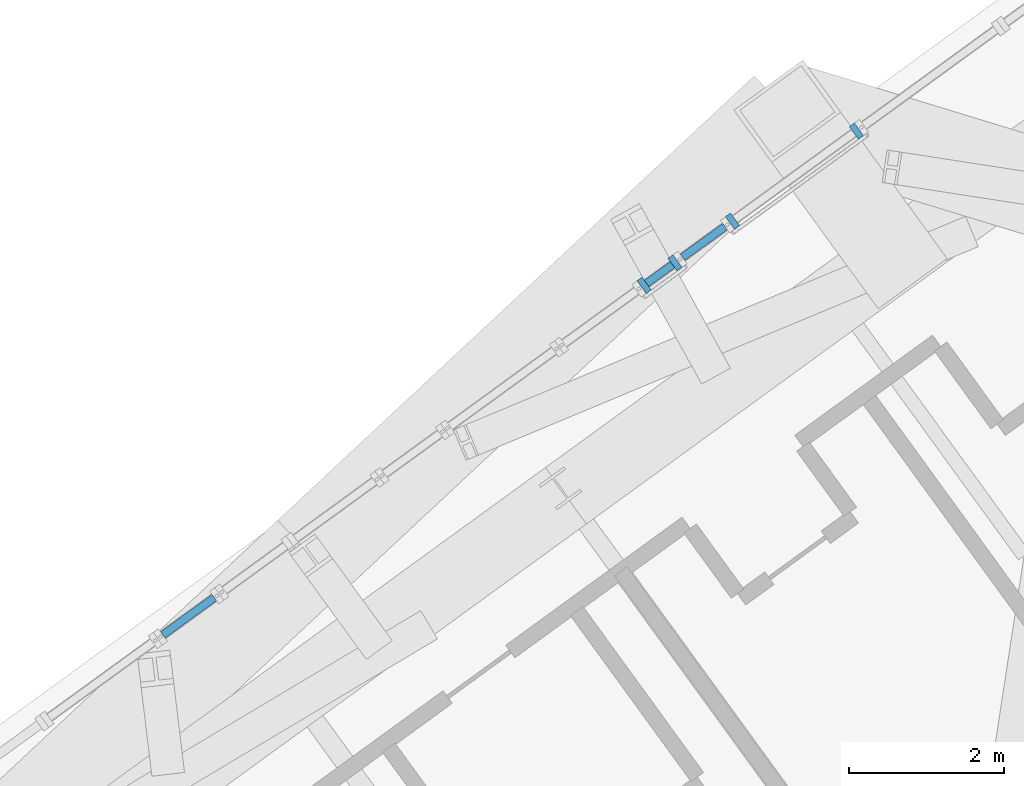
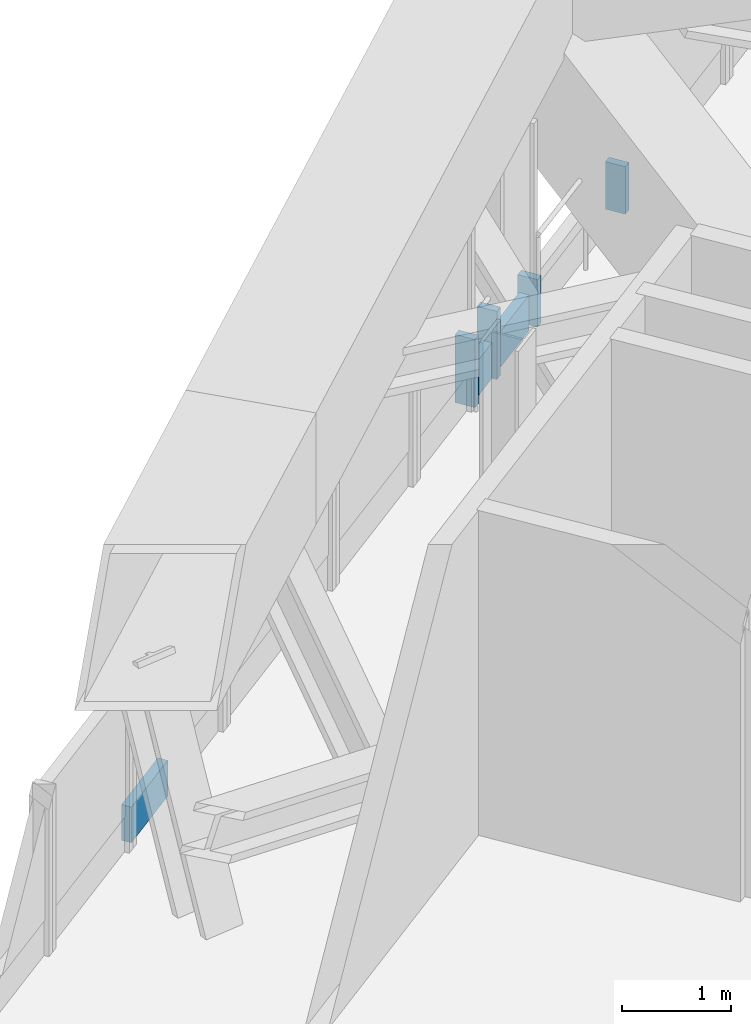
# One storey, part 12 of 30: 7 members, 4 elements without a shape of their own.
"""IFC4 building model written with IfcOpenShell, lengths in metres."""

from ifc_helpers import new_model, si_unit, direction, frame, origin, origin_2d, place, context, subcontext, project, spatial, rectangle, extrude, source, transform, mapped, material, material_profile, profile_set, type_object, element, aggregate, save


model = new_model("IFC4")

# Units and contexts
model_context = context("Model", 3, precision=1e-05, world=origin(), true_north=direction((0.0, 1.0)))
body_context = subcontext(model_context, "Body", "Model", "MODEL_VIEW")
ifc_project = project(units=[si_unit("LENGTHUNIT", "METRE"), si_unit("AREAUNIT", "SQUARE_METRE"), si_unit("VOLUMEUNIT", "CUBIC_METRE"), si_unit("PLANEANGLEUNIT", "RADIAN"), si_unit("MASSUNIT", "GRAM", prefix="KILO")], contexts=[model_context])

# Site, building, storey
site_placement = place(None, origin())
site = spatial("IfcSite", under=ifc_project, at=site_placement, CompositionType="ELEMENT")
building_placement = place(site_placement, origin())
building = spatial("IfcBuilding", under=site, at=building_placement, Name="Triune Harvest Tower", CompositionType="ELEMENT")
storey_placement = place(building_placement, frame((0.0, 0.0, 94.5)))
storey = spatial("IfcBuildingStorey", under=building, at=storey_placement, Name="L23", CompositionType="ELEMENT", Elevation=94.5)

# Curtain wall, member
ifc_material_1 = material(Name="Aluminium bronze anodised", Category="aluminium")
curtain_wall_type = type_object("IfcCurtainWallType", Name="CW-5 Plant louvre wall", PredefinedType="NOTDEFINED", material=ifc_material_1)
curtain_wall_1_placement = place(storey_placement, origin())
curtain_wall_1 = element("IfcCurtainWall", 1, at=curtain_wall_1_placement, inside=storey, type_object=curtain_wall_type, Name="CW-5 B2-F3 L23 run 1001")
ifc_material_2 = material(Name="Aluminium bronze anodised", Category="aluminium")
ifc_material_profile_1 = material_profile(ifc_material_2, rectangle(XDim=0.10009765625, YDim=0.39990234375, at=origin_2d()), Name="TR-5 transom 100 x 400")
ifc_profile_set_1 = profile_set([ifc_material_profile_1], Name="Aluminium bronze anodised")
member_type_1 = type_object("IfcMemberType", Name="TR-5 transom 100 x 400", PredefinedType="USERDEFINED", material=ifc_profile_set_1)
member_1_placement = place(storey_placement, frame((-2.922607421875, 25.932373046875, 0.199951171875), z_axis=(-0.809186109871, -0.587552414336, 0.0), x_axis=(0.587552414336, -0.809186109871, 0.0)))
member_1 = element("IfcMember", 2, at=member_1_placement, type_object=member_type_1, Name="CW-5 transom B2-F3 1001.1", ObjectType="TRANSOM", PredefinedType="USERDEFINED", context=body_context, shape_type="SweptSolid", body=[
    extrude(rectangle(XDim=0.10009765625, YDim=0.39990234375, at=origin_2d()), origin(), (0.0, 0.0, 1.0), 0.820556640625),
])
aggregate(curtain_wall_1, [member_1])

curtain_wall_2_placement = place(storey_placement, origin())
curtain_wall_2 = element("IfcCurtainWall", 3, at=curtain_wall_2_placement, inside=storey, type_object=curtain_wall_type, Name="CW-5 B2-F3 L23 run 301")
shared_shape_1 = source(origin(), body_context, "Body", "SweptSolid", [
    extrude(rectangle(XDim=0.10009765625, YDim=0.39990234375, at=origin_2d()), origin(), (0.0, 0.0, 1.0), 0.67724609375),
])
member_2_placement = place(storey_placement, frame((3.67138671875, 30.723388671875, 0.199951171875), z_axis=(-0.809078958524, -0.587699956503, 0.0), x_axis=(0.587699956503, -0.809078958524, 0.0)))
member_2 = element("IfcMember", 4, at=member_2_placement, type_object=member_type_1, Name="CW-5 transom B2-F3 301.1", ObjectType="TRANSOM", PredefinedType="USERDEFINED", context=body_context, shape_type="MappedRepresentation", body=[
    mapped(shared_shape_1, transform((0.0, 0.0, 0.0), scale=1.0)),
])
aggregate(curtain_wall_2, [member_2])

# Curtain wall, members
curtain_wall_3_placement = place(storey_placement, origin())
curtain_wall_3 = element("IfcCurtainWall", 5, at=curtain_wall_3_placement, inside=storey, type_object=curtain_wall_type, Name="CW-5 B2-F3 L23 run 201")
ifc_material_3 = material(Name="Aluminium bronze anodised", Category="aluminium")
ifc_material_profile_2 = material_profile(ifc_material_3, rectangle(XDim=0.199951171875, YDim=0.080078125, at=origin_2d()), Name="MU-5 mullion 80 x 200")
ifc_profile_set_2 = profile_set([ifc_material_profile_2], Name="Aluminium bronze anodised")
member_type_2 = type_object("IfcMemberType", Name="MU-5 mullion 80 x 200", PredefinedType="MULLION", material=ifc_profile_set_2)
shared_shape_2 = source(origin(), body_context, "Body", "SweptSolid", [
    extrude(rectangle(XDim=0.199951171875, YDim=0.080078125, at=origin_2d()), origin(), (0.0, 0.0, 1.0), 0.5322265625),
])
member_3_placement = place(storey_placement, frame((5.3681640625, 31.956298828125, 0.0), z_axis=(0.0, 0.0, 1.0), x_axis=(0.587766995944, -0.809030258074, 0.0)))
member_3 = element("IfcMember", 6, at=member_3_placement, type_object=member_type_2, Name="CW-5 mullion B2-F3 201.1", PredefinedType="MULLION", context=body_context, shape_type="MappedRepresentation", body=[
    mapped(shared_shape_2, transform((0.0, 0.0, 0.0), scale=1.0)),
])
member_4_placement = place(storey_placement, frame((3.7685546875, 30.7939453125, 0.0), z_axis=(0.0, 0.0, 1.0), x_axis=(0.587766995944, -0.809030258074, 0.0)))
member_4 = element("IfcMember", 7, at=member_4_placement, type_object=member_type_2, Name="CW-5 mullion B2-F3 201.2", PredefinedType="MULLION", context=body_context, shape_type="MappedRepresentation", body=[
    mapped(shared_shape_2, transform((0.0, 0.0, 0.0), scale=1.0)),
])
aggregate(curtain_wall_3, [member_3, member_4])

curtain_wall_4_placement = place(storey_placement, origin())
curtain_wall_4 = element("IfcCurtainWall", 8, at=curtain_wall_4_placement, inside=storey, type_object=curtain_wall_type, Name="CW-5 B2-F3 L23 run 401")
shared_shape_3 = source(origin(), body_context, "Body", "SweptSolid", [
    extrude(rectangle(XDim=0.199951171875, YDim=0.080078125, at=origin_2d()), origin(), (0.0, 0.0, 1.0), 0.762939453125),
])
member_5_placement = place(storey_placement, frame((3.0263671875, 30.2548828125, 0.0), z_axis=(0.0, 0.0, 1.0), x_axis=(0.587839556669, -0.808977537151, 0.0)))
member_5 = element("IfcMember", 9, at=member_5_placement, type_object=member_type_2, Name="CW-5 mullion B2-F3 401.1", PredefinedType="MULLION", context=body_context, shape_type="MappedRepresentation", body=[
    mapped(shared_shape_3, transform((0.0, 0.0, 0.0), scale=1.0)),
])
member_6_placement = place(storey_placement, frame((2.627685546875, 29.965087890625, 0.0), z_axis=(0.0, 0.0, 1.0), x_axis=(0.587839556669, -0.808977537151, 0.0)))
member_6 = element("IfcMember", 10, at=member_6_placement, type_object=member_type_2, Name="CW-5 mullion B2-F3 401.2", PredefinedType="MULLION", context=body_context, shape_type="MappedRepresentation", body=[
    mapped(shared_shape_3, transform((0.0, 0.0, 0.0), scale=1.0)),
])
shared_shape_4 = source(origin(), body_context, "Body", "SweptSolid", [
    extrude(rectangle(XDim=0.10009765625, YDim=0.39990234375, at=origin_2d()), origin(), (0.0, 0.0, 1.0), 0.4130859375),
])
member_7_placement = place(storey_placement, frame((2.994140625, 30.2314453125, 0.199951171875), z_axis=(-0.808914907924, -0.587925736585, 0.0), x_axis=(0.587925736585, -0.808914907924, 0.0)))
member_7 = element("IfcMember", 11, at=member_7_placement, type_object=member_type_1, Name="CW-5 transom B2-F3 401.1", ObjectType="TRANSOM", PredefinedType="USERDEFINED", context=body_context, shape_type="MappedRepresentation", body=[
    mapped(shared_shape_4, transform((0.0, 0.0, 0.0), scale=1.0)),
])
aggregate(curtain_wall_4, [member_5, member_6, member_7])

save(model, "model.ifc")
